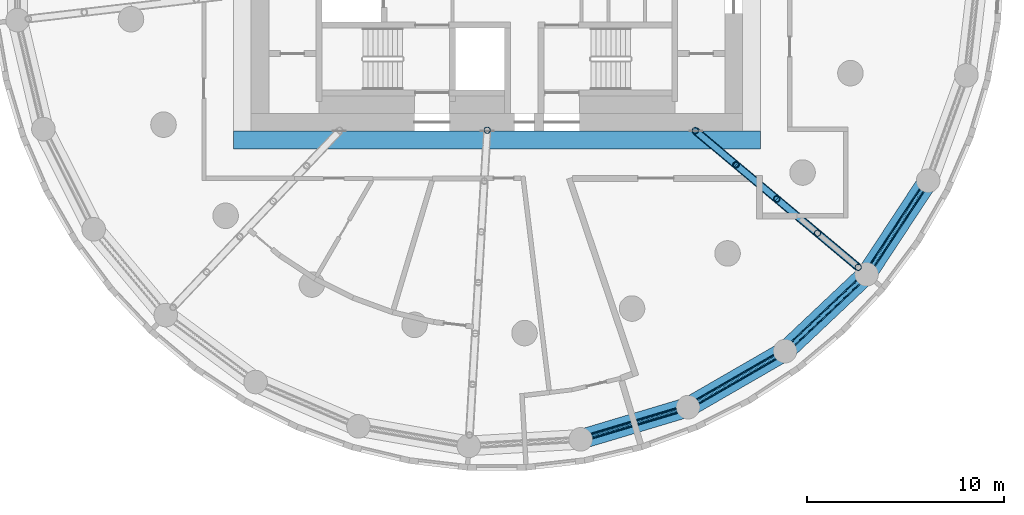
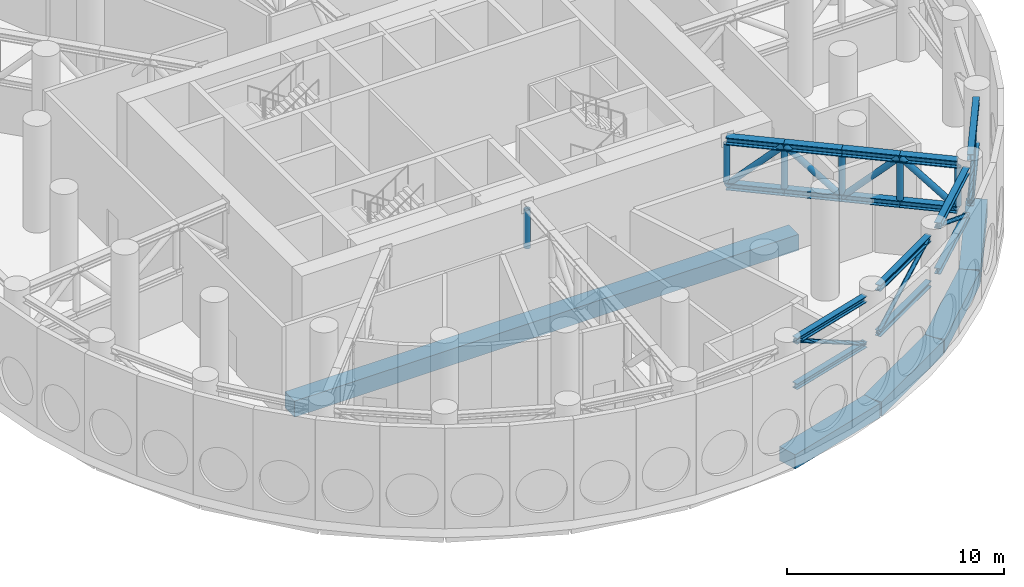
# One storey, part 3 of 15: 30 members, 5 beams.
"""IFC4 building model written with IfcOpenShell, lengths in metres."""

from ifc_helpers import new_model, si_unit, direction, frame, origin, origin_2d, place, context, subcontext, project, spatial, rectangle, hollow_circle, i_section, extrude, material, material_profile, profile_set, type_object, element, save


model = new_model("IFC4")

# Units and contexts
model_context = context("Model", 3, precision=1e-05, world=origin(), true_north=direction((0.0, 1.0)))
body_context = subcontext(model_context, "Body", "Model", "MODEL_VIEW")
ifc_project = project(units=[si_unit("LENGTHUNIT", "METRE"), si_unit("AREAUNIT", "SQUARE_METRE"), si_unit("VOLUMEUNIT", "CUBIC_METRE"), si_unit("PLANEANGLEUNIT", "RADIAN"), si_unit("MASSUNIT", "GRAM", prefix="KILO")], contexts=[model_context])

# Site, building, storey
site_placement = place(None, origin())
site = spatial("IfcSite", under=ifc_project, at=site_placement, CompositionType="ELEMENT")
building_placement = place(site_placement, origin())
building = spatial("IfcBuilding", under=site, at=building_placement, Name="Tracery Tower", CompositionType="ELEMENT")
storey_placement = place(building_placement, frame((0.0, 0.0, 225.0)))
storey = spatial("IfcBuildingStorey", under=building, at=storey_placement, Name="L58 Plant", CompositionType="ELEMENT", Elevation=225.0)

# Members
ifc_material_1 = material(Name="Steel S355", Category="steel")
ifc_material_profile_1 = material_profile(ifc_material_1, i_section(OverallWidth=0.30908203125, OverallDepth=0.320556640625, WebThickness=0.013916015625, FlangeThickness=0.021728515625, FilletRadius=0.01513671875, at=origin_2d()), Name="UKC 305x305x137")
ifc_profile_set_1 = profile_set([ifc_material_profile_1], Name="Steel S355")
member_type_1 = type_object("IfcMemberType", Name="Belt truss bottom chord UKC 305x305x137", PredefinedType="CHORD", material=ifc_profile_set_1)
for number, where, z_axis, x_axis, name in (
    (1, (4.74169921875, -24.031494140625, 2.88720703125), (0.95798769933, 0.286809288434, 0.0), (-0.286809288434, 0.95798769933, 0.0), "Belt truss bottom chord 22"),
    (2, (10.15576171875, -22.2900390625, 2.88720703125), (0.866025546345, 0.499999753078, 0.0), (-0.499999753078, 0.866025546345, 0.0), "Belt truss bottom chord 23"),
):
    element("IfcMember", number, at=place(storey_placement, frame(where, z_axis=z_axis, x_axis=x_axis)), inside=storey, type_object=member_type_1, Name=name, PredefinedType="CHORD", context=body_context, shape_type="SweptSolid", body=[
        extrude(i_section(OverallWidth=0.30908203125, OverallDepth=0.320556640625, WebThickness=0.013916015625, FlangeThickness=0.021728515625, FilletRadius=0.01513671875, at=origin_2d()), origin(), (0.0, 0.0, 1.0), 4.69970703125),
    ])
member_1_placement = place(storey_placement, frame((15.022705078125, -19.34716796875, 2.88720703125), z_axis=(0.727354510107, 0.686261915472, 0.0), x_axis=(-0.686261915472, 0.727354510107, 0.0)))
element("IfcMember", 3, at=member_1_placement, inside=storey, type_object=member_type_1, Name="Belt truss bottom chord 24", PredefinedType="CHORD", context=body_context, shape_type="SweptSolid", body=[
    extrude(i_section(OverallWidth=0.30908203125, OverallDepth=0.320556640625, WebThickness=0.013916015625, FlangeThickness=0.021728515625, FilletRadius=0.01513671875, at=origin_2d()), origin(), (0.0, 0.0, 1.0), 4.699462890625),
])
member_2_placement = place(storey_placement, frame((19.079345703125, -15.361328125, 2.88720703125), z_axis=(0.549510591542, 0.835486750214, 0.0), x_axis=(-0.835486750214, 0.549510591542, 0.0)))
element("IfcMember", 4, at=member_2_placement, inside=storey, type_object=member_type_1, Name="Belt truss bottom chord 25", PredefinedType="CHORD", context=body_context, shape_type="SweptSolid", body=[
    extrude(i_section(OverallWidth=0.30908203125, OverallDepth=0.320556640625, WebThickness=0.013916015625, FlangeThickness=0.021728515625, FilletRadius=0.01513671875, at=origin_2d()), origin(), (0.0, 0.0, 1.0), 4.69970703125),
])
ifc_material_2 = material(Name="Steel S355", Category="steel")
ifc_material_profile_2 = material_profile(ifc_material_2, hollow_circle(Radius=0.109619140625, WallThickness=0.010009765625, at=origin_2d()), Name="CHS 219.1x10")
ifc_profile_set_2 = profile_set([ifc_material_profile_2], Name="Steel S355")
member_type_2 = type_object("IfcMemberType", Name="Belt truss diagonal CHS 219.1x10", PredefinedType="BRACE", material=ifc_profile_set_2)
for number, where, z_axis, x_axis, name in (
    (5, (4.74169921875, -24.031494140625, 5.44677734375), (0.841304200319, 0.251875738298, -0.478294736519), (-0.286809288434, 0.95798769933, 0.0), "Belt truss diagonal 22"),
    (6, (10.15576171875, -22.2900390625, 2.88720703125), (0.760545664119, 0.439100954781, 0.478289289342), (-0.499999753078, 0.866025546345, 0.0), "Belt truss diagonal 23"),
):
    element("IfcMember", number, at=place(storey_placement, frame(where, z_axis=z_axis, x_axis=x_axis)), inside=storey, type_object=member_type_2, Name=name, PredefinedType="BRACE", context=body_context, shape_type="SweptSolid", body=[
        extrude(hollow_circle(Radius=0.109619140625, WallThickness=0.010009765625, at=origin_2d()), origin(), (0.0, 0.0, 1.0), 5.3515625),
    ])
member_3_placement = place(storey_placement, frame((15.022705078125, -19.34716796875, 5.44677734375), z_axis=(0.638758368951, 0.602671098767, -0.478304602534), x_axis=(-0.686261915472, 0.727354510107, 0.0)))
element("IfcMember", 7, at=member_3_placement, inside=storey, type_object=member_type_2, Name="Belt truss diagonal 24", PredefinedType="BRACE", context=body_context, shape_type="SweptSolid", body=[
    extrude(hollow_circle(Radius=0.109619140625, WallThickness=0.010009765625, at=origin_2d()), origin(), (0.0, 0.0, 1.0), 5.351318359375),
])
member_4_placement = place(storey_placement, frame((19.079345703125, -15.361328125, 2.88720703125), z_axis=(0.482580611322, 0.733725087152, 0.478292222453), x_axis=(-0.835486750214, 0.549510591542, 0.0)))
element("IfcMember", 8, at=member_4_placement, inside=storey, type_object=member_type_2, Name="Belt truss diagonal 25", PredefinedType="BRACE", context=body_context, shape_type="SweptSolid", body=[
    extrude(hollow_circle(Radius=0.109619140625, WallThickness=0.010009765625, at=origin_2d()), origin(), (0.0, 0.0, 1.0), 5.3515625),
])
ifc_material_3 = material(Name="Steel S355", Category="steel")
ifc_material_profile_3 = material_profile(ifc_material_3, i_section(OverallWidth=0.314453125, OverallDepth=0.33984375, WebThickness=0.01904296875, FlangeThickness=0.031494140625, FilletRadius=0.01513671875, at=origin_2d()), Name="UKC 305x305x198")
ifc_profile_set_3 = profile_set([ifc_material_profile_3], Name="Steel S355")
member_type_3 = type_object("IfcMemberType", Name="Belt truss top chord UKC 305x305x198", PredefinedType="CHORD", material=ifc_profile_set_3)
for number, where, z_axis, x_axis, name in (
    (9, (4.74169921875, -24.031494140625, 5.44677734375), (0.95798769933, 0.286809288434, 0.0), (-0.286809288434, 0.95798769933, 0.0), "Belt truss top chord 22"),
    (10, (10.15576171875, -22.2900390625, 5.44677734375), (0.866025546345, 0.499999753078, 0.0), (-0.499999753078, 0.866025546345, 0.0), "Belt truss top chord 23"),
):
    element("IfcMember", number, at=place(storey_placement, frame(where, z_axis=z_axis, x_axis=x_axis)), inside=storey, type_object=member_type_3, Name=name, PredefinedType="CHORD", context=body_context, shape_type="SweptSolid", body=[
        extrude(i_section(OverallWidth=0.314453125, OverallDepth=0.33984375, WebThickness=0.01904296875, FlangeThickness=0.031494140625, FilletRadius=0.01513671875, at=origin_2d()), origin(), (0.0, 0.0, 1.0), 4.69970703125),
    ])
member_5_placement = place(storey_placement, frame((15.022705078125, -19.34716796875, 5.44677734375), z_axis=(0.727354510107, 0.686261915472, 0.0), x_axis=(-0.686261915472, 0.727354510107, 0.0)))
element("IfcMember", 11, at=member_5_placement, inside=storey, type_object=member_type_3, Name="Belt truss top chord 24", PredefinedType="CHORD", context=body_context, shape_type="SweptSolid", body=[
    extrude(i_section(OverallWidth=0.314453125, OverallDepth=0.33984375, WebThickness=0.01904296875, FlangeThickness=0.031494140625, FilletRadius=0.01513671875, at=origin_2d()), origin(), (0.0, 0.0, 1.0), 4.699462890625),
])
member_6_placement = place(storey_placement, frame((19.079345703125, -15.361328125, 5.44677734375), z_axis=(0.549510591542, 0.835486750214, 0.0), x_axis=(-0.835486750214, 0.549510591542, 0.0)))
element("IfcMember", 12, at=member_6_placement, inside=storey, type_object=member_type_3, Name="Belt truss top chord 25", PredefinedType="CHORD", context=body_context, shape_type="SweptSolid", body=[
    extrude(i_section(OverallWidth=0.314453125, OverallDepth=0.33984375, WebThickness=0.01904296875, FlangeThickness=0.031494140625, FilletRadius=0.01513671875, at=origin_2d()), origin(), (0.0, 0.0, 1.0), 4.69970703125),
])

# Beam
ifc_material_4 = material(Name="Concrete C50/60", Category="concrete")
ifc_material_profile_4 = material_profile(ifc_material_4, rectangle(XDim=0.89990234375, YDim=0.89990234375, at=origin_2d()), Name="RC 900x900")
ifc_profile_set_4 = profile_set([ifc_material_profile_4], Name="Concrete C50/60")
beam_type_1 = type_object("IfcBeamType", Name="Core slab edge beam 900x900", PredefinedType="BEAM", material=ifc_profile_set_4)
beam_placement = place(storey_placement, frame((-13.39990234375, -8.949951171875, -0.949951171875), z_axis=(1.0, 0.0, 0.0), x_axis=(0.0, 1.0, 0.0)))
element("IfcBeam", 13, at=beam_placement, inside=storey, type_object=beam_type_1, Name="Core hole edge beam S at L58 Plant", PredefinedType="BEAM", context=body_context, shape_type="SweptSolid", body=[
    extrude(rectangle(XDim=0.89990234375, YDim=0.89990234375, at=origin_2d()), origin(), (0.0, 0.0, 1.0), 26.7998046875),
])

# Members
ifc_material_5 = material(Name="Steel S355", Category="steel")
ifc_material_profile_5 = material_profile(ifc_material_5, i_section(OverallWidth=0.374755859375, OverallDepth=0.37451171875, WebThickness=0.0166015625, FlangeThickness=0.027099609375, FilletRadius=0.01513671875, at=origin_2d()), Name="UKC 356x368x202")
ifc_profile_set_5 = profile_set([ifc_material_profile_5], Name="Steel S355")
member_type_4 = type_object("IfcMemberType", Name="Outrigger bottom chord UKC 356x368x202", PredefinedType="CHORD", material=ifc_profile_set_5)
for number, where, z_axis, x_axis, name in (
    (14, (10.091552734375, -8.468017578125, 2.88720703125), (0.766079759177, -0.6427455193, 0.0), (0.6427455193, 0.766079759177, 0.0), "Outrigger 8 bottom chord 1"),
    (15, (12.16455078125, -10.207275390625, 2.88720703125), (0.765998054095, -0.642842889921, 0.0), (0.642842889921, 0.765998054095, 0.0), "Outrigger 8 bottom chord 2"),
    (16, (14.2373046875, -11.94677734375, 2.88720703125), (0.766079759177, -0.6427455193, 0.0), (0.6427455193, 0.766079759177, 0.0), "Outrigger 8 bottom chord 3"),
    (17, (16.310302734375, -13.68603515625, 2.88720703125), (0.766035334846, -0.642798464348, 0.0), (0.642798464348, 0.766035334846, 0.0), "Outrigger 8 bottom chord 4"),
):
    element("IfcMember", number, at=place(storey_placement, frame(where, z_axis=z_axis, x_axis=x_axis)), inside=storey, type_object=member_type_4, Name=name, PredefinedType="CHORD", context=body_context, shape_type="SweptSolid", body=[
        extrude(i_section(OverallWidth=0.374755859375, OverallDepth=0.37451171875, WebThickness=0.0166015625, FlangeThickness=0.027099609375, FilletRadius=0.01513671875, at=origin_2d()), origin(), (0.0, 0.0, 1.0), 2.7060546875),
    ])
ifc_material_6 = material(Name="Steel S355", Category="steel")
ifc_material_profile_6 = material_profile(ifc_material_6, hollow_circle(Radius=0.161865234375, WallThickness=0.01611328125, at=origin_2d()), Name="CHS 323.9x16")
ifc_profile_set_6 = profile_set([ifc_material_profile_6], Name="Steel S355")
member_type_5 = type_object("IfcMemberType", Name="Outrigger diagonal CHS 323.9x16", PredefinedType="BRACE", material=ifc_profile_set_6)
member_7_placement = place(storey_placement, frame((10.091552734375, -8.468017578125, 2.88720703125), z_axis=(0.556547371036, -0.466946587123, 0.687179677063), x_axis=(0.6427455193, 0.766079759177, 0.0)))
element("IfcMember", 18, at=member_7_placement, inside=storey, type_object=member_type_5, Name="Outrigger 8 diagonal 1", PredefinedType="BRACE", context=body_context, shape_type="SweptSolid", body=[
    extrude(hollow_circle(Radius=0.161865234375, WallThickness=0.01611328125, at=origin_2d()), origin(), (0.0, 0.0, 1.0), 3.724853515625),
])
member_8_placement = place(storey_placement, frame((12.16455078125, -10.207275390625, 5.44677734375), z_axis=(0.556485091292, -0.467014873434, -0.687183709907), x_axis=(0.642842889921, 0.765998054095, 0.0)))
element("IfcMember", 19, at=member_8_placement, inside=storey, type_object=member_type_5, Name="Outrigger 8 diagonal 2", PredefinedType="BRACE", context=body_context, shape_type="SweptSolid", body=[
    extrude(hollow_circle(Radius=0.161865234375, WallThickness=0.01611328125, at=origin_2d()), origin(), (0.0, 0.0, 1.0), 3.724609375),
])
for number, where, z_axis, x_axis, name in (
    (20, (14.2373046875, -11.94677734375, 2.88720703125), (0.556547371036, -0.466946587123, 0.687179677063), (0.6427455193, 0.766079759177, 0.0), "Outrigger 8 diagonal 3"),
    (21, (16.310302734375, -13.68603515625, 5.44677734375), (0.556530336779, -0.466997838836, -0.687158644541), (0.642798464348, 0.766035334846, 0.0), "Outrigger 8 diagonal 4"),
):
    element("IfcMember", number, at=place(storey_placement, frame(where, z_axis=z_axis, x_axis=x_axis)), inside=storey, type_object=member_type_5, Name=name, PredefinedType="BRACE", context=body_context, shape_type="SweptSolid", body=[
        extrude(hollow_circle(Radius=0.161865234375, WallThickness=0.01611328125, at=origin_2d()), origin(), (0.0, 0.0, 1.0), 3.724853515625),
    ])
ifc_material_7 = material(Name="Steel S355", Category="steel")
ifc_material_profile_7 = material_profile(ifc_material_7, hollow_circle(Radius=0.161865234375, WallThickness=0.01611328125, at=origin_2d()), Name="CHS 323.9x16")
ifc_profile_set_7 = profile_set([ifc_material_profile_7], Name="Steel S355")
member_type_6 = type_object("IfcMemberType", Name="Outrigger post CHS 323.9x16", PredefinedType="POST", material=ifc_profile_set_7)
for number, where, z_axis, x_axis, name in (
    (22, (-0.4921875, -8.4501953125, 3.07470703125), (0.0, 0.0, 1.0), (1.0, 0.0, 0.0), "Outrigger 7 post 1"),
    (23, (10.091552734375, -8.468017578125, 3.07470703125), (0.0, 0.0, 1.0), (1.0, 0.0, 0.0), "Outrigger 8 post 1"),
    (24, (12.16455078125, -10.207275390625, 3.07470703125), (0.0, 0.0, 1.0), (1.0, 0.0, 0.0), "Outrigger 8 post 2"),
    (25, (14.2373046875, -11.94677734375, 3.07470703125), (0.0, 0.0, 1.0), (1.0, 0.0, 0.0), "Outrigger 8 post 3"),
    (26, (16.310302734375, -13.68603515625, 3.07470703125), (0.0, 0.0, 1.0), (1.0, 0.0, 0.0), "Outrigger 8 post 4"),
    (27, (18.38330078125, -15.425537109375, 3.07470703125), (0.0, 0.0, 1.0), (1.0, 0.0, 0.0), "Outrigger 8 post 5"),
):
    element("IfcMember", number, at=place(storey_placement, frame(where, z_axis=z_axis, x_axis=x_axis)), inside=storey, type_object=member_type_6, Name=name, PredefinedType="POST", context=body_context, shape_type="SweptSolid", body=[
        extrude(hollow_circle(Radius=0.161865234375, WallThickness=0.01611328125, at=origin_2d()), origin(), (0.0, 0.0, 1.0), 2.1689453125),
    ])
ifc_material_8 = material(Name="Steel S355", Category="steel")
ifc_material_profile_8 = material_profile(ifc_material_8, i_section(OverallWidth=0.403076171875, OverallDepth=0.406494140625, WebThickness=0.026611328125, FlangeThickness=0.04296875, FilletRadius=0.01513671875, at=origin_2d()), Name="UKC 356x406x340")
ifc_profile_set_8 = profile_set([ifc_material_profile_8], Name="Steel S355")
member_type_7 = type_object("IfcMemberType", Name="Outrigger top chord UKC 356x406x340", PredefinedType="CHORD", material=ifc_profile_set_8)
for number, where, z_axis, x_axis, name in (
    (28, (10.091552734375, -8.468017578125, 5.44677734375), (0.766079759177, -0.6427455193, 0.0), (0.6427455193, 0.766079759177, 0.0), "Outrigger 8 top chord 1"),
    (29, (12.16455078125, -10.207275390625, 5.44677734375), (0.765998054095, -0.642842889921, 0.0), (0.642842889921, 0.765998054095, 0.0), "Outrigger 8 top chord 2"),
    (30, (14.2373046875, -11.94677734375, 5.44677734375), (0.766079759177, -0.6427455193, 0.0), (0.6427455193, 0.766079759177, 0.0), "Outrigger 8 top chord 3"),
    (31, (16.310302734375, -13.68603515625, 5.44677734375), (0.766035334846, -0.642798464348, 0.0), (0.642798464348, 0.766035334846, 0.0), "Outrigger 8 top chord 4"),
):
    element("IfcMember", number, at=place(storey_placement, frame(where, z_axis=z_axis, x_axis=x_axis)), inside=storey, type_object=member_type_7, Name=name, PredefinedType="CHORD", context=body_context, shape_type="SweptSolid", body=[
        extrude(i_section(OverallWidth=0.403076171875, OverallDepth=0.406494140625, WebThickness=0.026611328125, FlangeThickness=0.04296875, FilletRadius=0.01513671875, at=origin_2d()), origin(), (0.0, 0.0, 1.0), 2.7060546875),
    ])

# Beams
ifc_material_9 = material(Name="Concrete C50/60", Category="concrete")
ifc_material_profile_9 = material_profile(ifc_material_9, rectangle(XDim=1.0, YDim=0.800048828125, at=origin_2d()), Name="RC 1000x800")
ifc_profile_set_9 = profile_set([ifc_material_profile_9], Name="Concrete C50/60")
beam_type_2 = type_object("IfcBeamType", Name="Plant level band beam 1000x800", PredefinedType="BEAM", material=ifc_profile_set_9)
for number, where, z_axis, x_axis, name in (
    (32, (4.2626953125, -24.1748046875, -0.89990234375), (0.957985292634, 0.28681732705, 0.0), (-0.28681732705, 0.957985292634, 0.0), "Perimeter beam 1.21 under L58 Plant"),
    (33, (9.722900390625, -22.5400390625, -0.89990234375), (0.866022950691, 0.500004248858, 0.0), (-0.500004248858, 0.866022950691, 0.0), "Perimeter beam 1.22 under L58 Plant"),
):
    element("IfcBeam", number, at=place(storey_placement, frame(where, z_axis=z_axis, x_axis=x_axis)), inside=storey, type_object=beam_type_2, Name=name, PredefinedType="BEAM", context=body_context, shape_type="SweptSolid", body=[
        extrude(rectangle(XDim=1.0, YDim=0.800048828125, at=origin_2d()), origin(), (0.0, 0.0, 1.0), 5.69970703125),
    ])
for number, where, z_axis, x_axis, name in (
    (34, (14.658935546875, -19.690185546875, -0.89990234375), (0.727389618263, 0.686224703172, 0.0), (-0.686224703172, 0.727389618263, 0.0), "Perimeter beam 1.23 under L58 Plant"),
    (35, (18.8046875, -15.779052734375, -0.89990234375), (0.549489832182, 0.835500403548, 0.0), (-0.835500403548, 0.549489832182, 0.0), "Perimeter beam 1.24 under L58 Plant"),
):
    element("IfcBeam", number, at=place(storey_placement, frame(where, z_axis=z_axis, x_axis=x_axis)), inside=storey, type_object=beam_type_2, Name=name, PredefinedType="BEAM", context=body_context, shape_type="SweptSolid", body=[
        extrude(rectangle(XDim=1.0, YDim=0.800048828125, at=origin_2d()), origin(), (0.0, 0.0, 1.0), 5.699462890625),
    ])

save(model, "model.ifc")
